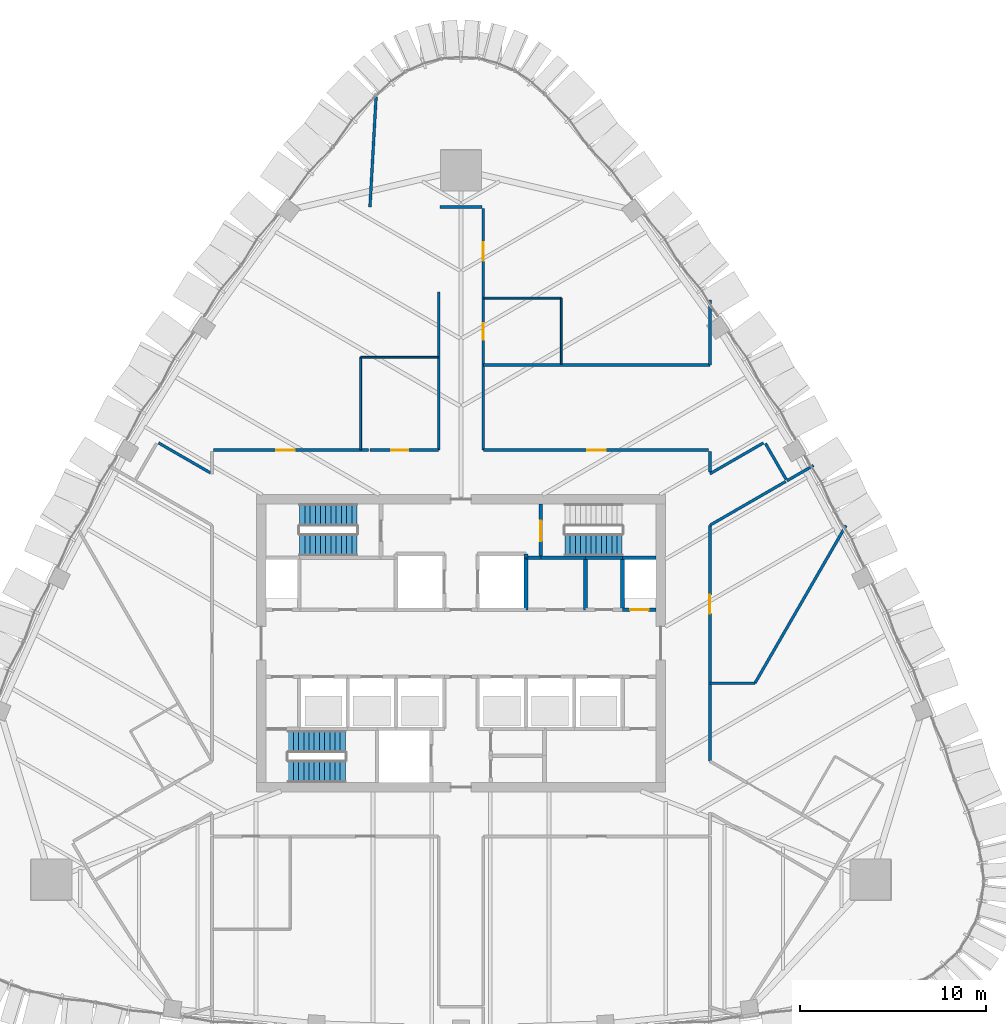
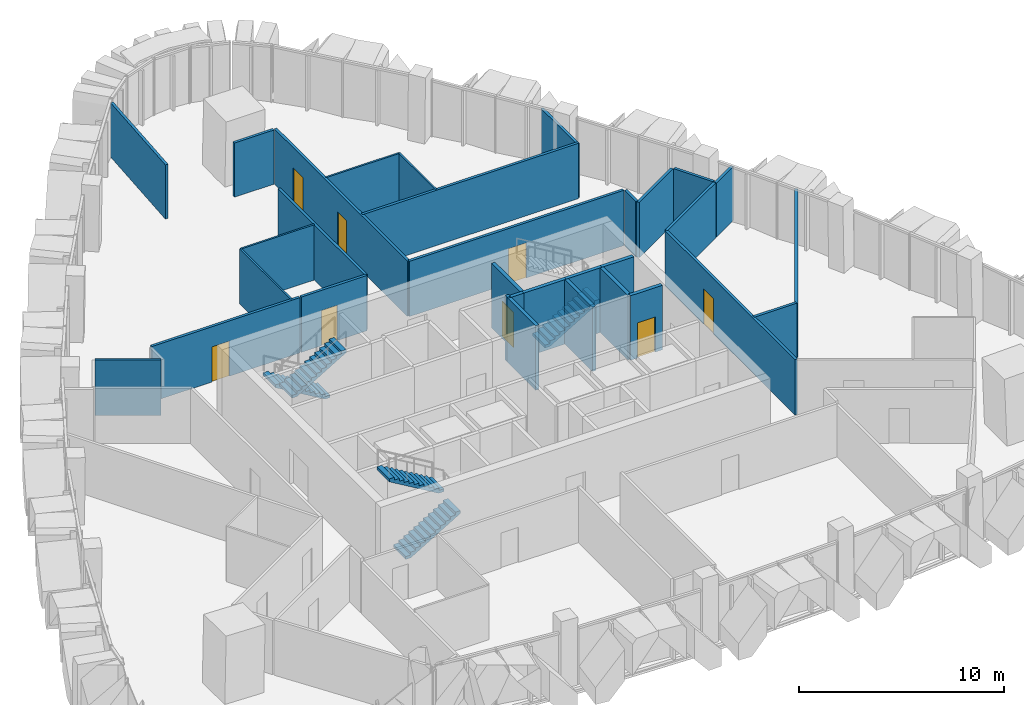
# One storey, part 15 of 20: 32 walls, 8 doors, 5 stair flights, 8 openings, 3 elements without a shape of their own.
"""IFC4 building model written with IfcOpenShell, lengths in metres."""

from ifc_helpers import new_model, si_unit, direction, frame, frame_2d, origin, place, context, subcontext, project, spatial, polyline, rectangle, outline, extrude, material, layer, layer_set, type_object, element, fill, aggregate, save


model = new_model("IFC4")

# Units and contexts
model_context = context("Model", 3, precision=1e-05, world=origin(), true_north=direction((0.0, 1.0)))
body_context = subcontext(model_context, "Body", "Model", "MODEL_VIEW")
ifc_project = project(units=[si_unit("LENGTHUNIT", "METRE"), si_unit("AREAUNIT", "SQUARE_METRE"), si_unit("VOLUMEUNIT", "CUBIC_METRE"), si_unit("PLANEANGLEUNIT", "RADIAN"), si_unit("MASSUNIT", "GRAM", prefix="KILO")], contexts=[model_context])

# Site, building, storey
site_placement = place(None, origin())
site = spatial("IfcSite", under=ifc_project, at=site_placement, CompositionType="ELEMENT")
building_placement = place(site_placement, origin())
building = spatial("IfcBuilding", under=site, at=building_placement, Name="Sierra Prisma Convention Tower", CompositionType="ELEMENT")
storey_placement = place(building_placement, frame((0.0, 0.0, 239.0)))
storey = spatial("IfcBuildingStorey", under=building, at=storey_placement, Name="L53", CompositionType="ELEMENT", Elevation=239.0)

# Walls
ifc_material_1 = material(Name="Gypsum board partition", Category="gypsum")
ifc_layer_1 = layer(ifc_material_1, 0.10009765625)
ifc_layer_set_1 = layer_set([ifc_layer_1], Name="Bathroom partition 100")
wall_type_1 = type_object("IfcWallType", Name="Bathroom partition 100", PredefinedType="PARTITIONING", material=ifc_layer_set_1)
wall_1_placement = place(storey_placement, frame((-5.39990234375, 10.429931640625, 0.0), z_axis=(0.0, 0.0, 1.0), x_axis=(0.0, 1.0, 0.0)))
element("IfcWall", 1, at=wall_1_placement, inside=storey, type_object=wall_type_1, Name="Partition L53 bath 5", PredefinedType="PARTITIONING", context=body_context, shape_type="SweptSolid", body=[
    extrude(rectangle(XDim=4.969970703125, YDim=0.10009765625, at=frame_2d((2.48486328125, 0.0))), origin(), (0.0, 0.0, 1.0), 3.300048828125),
])
for number, where, z_axis, x_axis, name in (
    (2, (-5.39990234375, 15.39990234375, 0.0), (0.0, 0.0, 1.0), (1.0, 0.0, 0.0), "Partition L53 bath 6"),
    (3, (1.22998046875, 18.583251953125, 0.0), (0.0, 0.0, 1.0), (1.0, 0.0, 0.0), "Partition L53 bath 7"),
):
    element("IfcWall", number, at=place(storey_placement, frame(where, z_axis=z_axis, x_axis=x_axis)), inside=storey, type_object=wall_type_1, Name=name, PredefinedType="PARTITIONING", context=body_context, shape_type="SweptSolid", body=[
        extrude(rectangle(XDim=4.169921875, YDim=0.10009765625, at=frame_2d((2.0849609375, 0.0))), origin(), (0.0, 0.0, 1.0), 3.300048828125),
    ])
wall_2_placement = place(storey_placement, frame((5.39990234375, 18.583251953125, 0.0), z_axis=(0.0, 0.0, 1.0), x_axis=(0.0, -1.0, 0.0)))
element("IfcWall", 4, at=wall_2_placement, inside=storey, type_object=wall_type_1, Name="Partition L53 bath 8", PredefinedType="PARTITIONING", context=body_context, shape_type="SweptSolid", body=[
    extrude(rectangle(XDim=3.570068359375, YDim=0.10009765625, at=frame_2d((1.78515625, 0.0))), origin(), (0.0, 0.0, 1.0), 3.300048828125),
])
ifc_material_2 = material(Name="Concrete C30/37", Category="concrete")
ifc_layer_2 = layer(ifc_material_2, 0.199951171875)
ifc_layer_set_2 = layer_set([ifc_layer_2], Name="Core wall RC 200 C30/37")
wall_type_2 = type_object("IfcWallType", Name="Core wall RC 200 C30/37", PredefinedType="SOLIDWALL", material=ifc_layer_set_2)
wall_3_placement = place(storey_placement, frame((3.5, 4.60009765625, 0.0), z_axis=(0.0, 0.0, 1.0), x_axis=(0.0, 1.0, 0.0)))
element("IfcWall", 5, at=wall_3_placement, inside=storey, type_object=wall_type_2, Name="Core wall L53 35", PredefinedType="SOLIDWALL", context=body_context, shape_type="SweptSolid", body=[
    extrude(rectangle(XDim=0.199951171875, YDim=0.199951171875, at=frame_2d((0.10009765625, 0.0))), origin(), (0.0, 0.0, 1.0), 3.85009765625),
])
wall_4_placement = place(storey_placement, frame((3.5, 4.60009765625, 0.0), z_axis=(0.0, 0.0, 1.0), x_axis=(0.0, -1.0, 0.0)))
element("IfcWall", 6, at=wall_4_placement, inside=storey, type_object=wall_type_2, Name="Core wall L53 46", PredefinedType="SOLIDWALL", context=body_context, shape_type="SweptSolid", body=[
    extrude(rectangle(XDim=2.800048828125, YDim=0.199951171875, at=frame_2d((1.39990234375, 0.0))), origin(), (0.0, 0.0, 1.0), 3.85009765625),
])
wall_5_placement = place(storey_placement, frame((4.300048828125, 4.60009765625, 0.0), z_axis=(0.0, 0.0, 1.0), x_axis=(-1.0, 0.0, 0.0)))
element("IfcWall", 7, at=wall_5_placement, inside=storey, type_object=wall_type_2, Name="Core wall L53 47", PredefinedType="SOLIDWALL", context=body_context, shape_type="SweptSolid", body=[
    extrude(rectangle(XDim=0.800048828125, YDim=0.199951171875, at=frame_2d((0.39990234375, 0.0))), origin(), (0.0, 0.0, 1.0), 3.85009765625),
])
wall_6_placement = place(storey_placement, frame((6.699951171875, 4.60009765625, 0.0), z_axis=(0.0, 0.0, 1.0), x_axis=(-1.0, 0.0, 0.0)))
element("IfcWall", 8, at=wall_6_placement, inside=storey, type_object=wall_type_2, Name="Core wall L53 48", PredefinedType="SOLIDWALL", context=body_context, shape_type="SweptSolid", body=[
    extrude(rectangle(XDim=2.39990234375, YDim=0.199951171875, at=frame_2d((1.199951171875, 0.0))), origin(), (0.0, 0.0, 1.0), 3.85009765625),
])

# Wall, opening, door
wall_7_placement = place(storey_placement, frame((4.300048828125, 7.5, 0.0), z_axis=(0.0, 0.0, 1.0), x_axis=(0.0, -1.0, 0.0)))
wall_7 = element("IfcWall", 9, at=wall_7_placement, inside=storey, type_object=wall_type_2, Name="Core wall L53 49", PredefinedType="SOLIDWALL", context=body_context, shape_type="SweptSolid", body=[
    extrude(rectangle(XDim=2.89990234375, YDim=0.199951171875, at=frame_2d((1.449951171875, 0.0))), origin(), (0.0, 0.0, 1.0), 3.85009765625),
])
opening_1_placement = place(wall_7_placement, frame((0.89990234375, 0.0, 0.0)))
opening_1 = element("IfcOpeningElement", 10, at=opening_1_placement, cuts=wall_7, Name="Opening L53-D017", PredefinedType="OPENING", context=body_context, shape_type="SweptSolid", body=[
    extrude(rectangle(XDim=1.10009765625, YDim=2.10009765625, at=frame_2d((0.550048828125, 1.050048828125))), frame((0.0, 0.10009765625, 0.0), z_axis=(0.0, -1.0, 0.0), x_axis=(1.0, 0.0, 0.0)), (0.0, 0.0, 1.0), 0.199951171875),
])
ifc_material_3 = material(Name="Steel fire door leaf", Category="steel")
door_type_1 = type_object("IfcDoorType", Name="Door 1100x2100 FD90S", OperationType="SINGLE_SWING_LEFT", PredefinedType="DOOR", material=ifc_material_3)
door_1_placement = place(opening_1_placement, origin())
door_1 = element("IfcDoor", 11, at=door_1_placement, inside=storey, type_object=door_type_1, Name="Door L53 33", OperationType="SINGLE_SWING_RIGHT", OverallHeight=2.10009765625, OverallWidth=1.10009765625, PredefinedType="DOOR", context=body_context, shape_type="SweptSolid", body=[
    extrude(rectangle(XDim=1.10009765625, YDim=2.10009765625, at=frame_2d((0.550048828125, 1.050048828125))), frame((0.0, 0.02490234375, 0.0), z_axis=(0.0, -1.0, 0.0), x_axis=(1.0, 0.0, 0.0)), (0.0, 0.0, 1.0), 0.050048828125),
])
fill(opening_1, door_1)

# Walls
wall_8_placement = place(storey_placement, frame((6.699951171875, 1.800048828125, 0.0), z_axis=(0.0, 0.0, 1.0), x_axis=(0.0, 1.0, 0.0)))
element("IfcWall", 12, at=wall_8_placement, inside=storey, type_object=wall_type_2, Name="Core wall L53 57", PredefinedType="SOLIDWALL", context=body_context, shape_type="SweptSolid", body=[
    extrude(rectangle(XDim=2.800048828125, YDim=0.199951171875, at=frame_2d((1.39990234375, 0.0))), origin(), (0.0, 0.0, 1.0), 3.85009765625),
])
wall_9_placement = place(storey_placement, frame((8.699951171875, 4.60009765625, 0.0), z_axis=(0.0, 0.0, 1.0), x_axis=(-1.0, 0.0, 0.0)))
element("IfcWall", 13, at=wall_9_placement, inside=storey, type_object=wall_type_2, Name="Core wall L53 58", PredefinedType="SOLIDWALL", context=body_context, shape_type="SweptSolid", body=[
    extrude(rectangle(XDim=2.0, YDim=0.199951171875, at=frame_2d((1.0, 0.0))), origin(), (0.0, 0.0, 1.0), 3.85009765625),
])

# Wall, opening, door
wall_10_placement = place(storey_placement, frame((10.5, 1.800048828125, 0.0), z_axis=(0.0, 0.0, 1.0), x_axis=(-1.0, 0.0, 0.0)))
wall_10 = element("IfcWall", 14, at=wall_10_placement, inside=storey, type_object=wall_type_2, Name="Core wall L53 62", PredefinedType="SOLIDWALL", context=body_context, shape_type="SweptSolid", body=[
    extrude(rectangle(XDim=1.800048828125, YDim=0.199951171875, at=frame_2d((0.89990234375, 0.0))), origin(), (0.0, 0.0, 1.0), 3.85009765625),
])
opening_2_placement = place(wall_10_placement, frame((0.39990234375, 0.0, 0.0)))
opening_2 = element("IfcOpeningElement", 15, at=opening_2_placement, cuts=wall_10, Name="Opening L53-D014", PredefinedType="OPENING", context=body_context, shape_type="SweptSolid", body=[
    extrude(rectangle(XDim=1.0, YDim=2.10009765625, at=frame_2d((0.5, 1.050048828125))), frame((0.0, 0.10009765625, 0.0), z_axis=(0.0, -1.0, 0.0), x_axis=(1.0, 0.0, 0.0)), (0.0, 0.0, 1.0), 0.199951171875),
])
ifc_material_4 = material(Name="Steel fire door leaf", Category="steel")
door_type_2 = type_object("IfcDoorType", Name="Door 1000x2100 FD60S", OperationType="SINGLE_SWING_LEFT", PredefinedType="DOOR", material=ifc_material_4)
door_2_placement = place(opening_2_placement, origin())
door_2 = element("IfcDoor", 16, at=door_2_placement, inside=storey, type_object=door_type_2, Name="Door L53 30", OperationType="SINGLE_SWING_RIGHT", OverallHeight=2.10009765625, OverallWidth=1.0, PredefinedType="DOOR", context=body_context, shape_type="SweptSolid", body=[
    extrude(rectangle(XDim=1.0, YDim=2.10009765625, at=frame_2d((0.5, 1.050048828125))), frame((0.0, 0.02490234375, 0.0), z_axis=(0.0, -1.0, 0.0), x_axis=(1.0, 0.0, 0.0)), (0.0, 0.0, 1.0), 0.050048828125),
])
fill(opening_2, door_2)

# Walls
wall_11_placement = place(storey_placement, frame((8.699951171875, 1.800048828125, 0.0), z_axis=(0.0, 0.0, 1.0), x_axis=(0.0, 1.0, 0.0)))
element("IfcWall", 17, at=wall_11_placement, inside=storey, type_object=wall_type_2, Name="Core wall L53 63", PredefinedType="SOLIDWALL", context=body_context, shape_type="SweptSolid", body=[
    extrude(rectangle(XDim=2.800048828125, YDim=0.199951171875, at=frame_2d((1.39990234375, 0.0))), origin(), (0.0, 0.0, 1.0), 3.85009765625),
])
wall_12_placement = place(storey_placement, frame((10.5, 4.60009765625, 0.0), z_axis=(0.0, 0.0, 1.0), x_axis=(-1.0, 0.0, 0.0)))
element("IfcWall", 18, at=wall_12_placement, inside=storey, type_object=wall_type_2, Name="Core wall L53 64", PredefinedType="SOLIDWALL", context=body_context, shape_type="SweptSolid", body=[
    extrude(rectangle(XDim=1.800048828125, YDim=0.199951171875, at=frame_2d((0.89990234375, 0.0))), origin(), (0.0, 0.0, 1.0), 3.85009765625),
])
ifc_material_5 = material(Name="Gypsum board partition", Category="gypsum")
ifc_layer_3 = layer(ifc_material_5, 0.14990234375)
ifc_layer_set_3 = layer_set([ifc_layer_3], Name="Corridor wall 150 gypsum EI 60")
wall_type_3 = type_object("IfcWallType", Name="Corridor wall 150 gypsum EI 60", PredefinedType="PARTITIONING", material=ifc_layer_set_3)
wall_13_placement = place(storey_placement, frame((-13.479248046875, 9.16796875, 0.0), z_axis=(0.0, 0.0, 1.0), x_axis=(-0.866037246281, 0.499979487633, 0.0)))
element("IfcWall", 19, at=wall_13_placement, inside=storey, type_object=wall_type_3, Name="Partition L53 corr 9", PredefinedType="PARTITIONING", context=body_context, shape_type="SweptSolid", body=[
    extrude(rectangle(XDim=3.234130859375, YDim=0.14990234375, at=frame_2d((1.6171875, 0.0))), origin(), (0.0, 0.0, 1.0), 3.300048828125),
])

# Wall, opening, door
wall_14_placement = place(storey_placement, frame((-4.97998046875, 10.39990234375, 0.0), z_axis=(0.0, 0.0, 1.0), x_axis=(-1.0, 0.0, 0.0)))
wall_14 = element("IfcWall", 20, at=wall_14_placement, inside=storey, type_object=wall_type_3, Name="Partition L53 corr 12", PredefinedType="PARTITIONING", context=body_context, shape_type="SweptSolid", body=[
    extrude(rectangle(XDim=8.340087890625, YDim=0.14990234375, at=frame_2d((4.169921875, 0.0))), origin(), (0.0, 0.0, 1.0), 3.300048828125),
])
opening_3_placement = place(wall_14_placement, frame((3.969970703125, 0.0, 0.0)))
opening_3 = element("IfcOpeningElement", 21, at=opening_3_placement, cuts=wall_14, Name="Opening L53-D030", PredefinedType="OPENING", context=body_context, shape_type="SweptSolid", body=[
    extrude(rectangle(XDim=1.0, YDim=2.10009765625, at=frame_2d((0.5, 1.050048828125))), frame((0.0, 0.074951171875, 0.0), z_axis=(0.0, -1.0, 0.0), x_axis=(1.0, 0.0, 0.0)), (0.0, 0.0, 1.0), 0.14990234375),
])
ifc_material_6 = material(Name="Steel fire door leaf", Category="steel")
door_type_3 = type_object("IfcDoorType", Name="Door 1000x2100 FD30S", OperationType="SINGLE_SWING_LEFT", PredefinedType="DOOR", material=ifc_material_6)
door_3_placement = place(opening_3_placement, origin())
door_3 = element("IfcDoor", 22, at=door_3_placement, inside=storey, type_object=door_type_3, Name="Door L53 6", OperationType="SINGLE_SWING_LEFT", OverallHeight=2.10009765625, OverallWidth=1.0, PredefinedType="DOOR", context=body_context, shape_type="SweptSolid", body=[
    extrude(rectangle(XDim=1.0, YDim=2.10009765625, at=frame_2d((0.5, 1.050048828125))), frame((0.0, 0.02490234375, 0.0), z_axis=(0.0, -1.0, 0.0), x_axis=(1.0, 0.0, 0.0)), (0.0, 0.0, 1.0), 0.050048828125),
])
fill(opening_3, door_3)

# Wall
wall_15_placement = place(storey_placement, frame((-1.199951171875, 18.89990234375, 0.0), z_axis=(0.0, 0.0, 1.0), x_axis=(0.0, -1.0, 0.0)))
element("IfcWall", 23, at=wall_15_placement, inside=storey, type_object=wall_type_3, Name="Partition L53 corr 13", PredefinedType="PARTITIONING", context=body_context, shape_type="SweptSolid", body=[
    extrude(rectangle(XDim=8.5, YDim=0.14990234375, at=frame_2d((4.25, 0.0))), origin(), (0.0, 0.0, 1.0), 3.300048828125),
])

# Wall, opening, door
wall_16_placement = place(storey_placement, frame((-1.199951171875, 10.39990234375, 0.0), z_axis=(0.0, 0.0, 1.0), x_axis=(-1.0, 0.0, 0.0)))
wall_16 = element("IfcWall", 24, at=wall_16_placement, inside=storey, type_object=wall_type_3, Name="Partition L53 corr 14", PredefinedType="PARTITIONING", context=body_context, shape_type="SweptSolid", body=[
    extrude(rectangle(XDim=3.699951171875, YDim=0.14990234375, at=frame_2d((1.85009765625, 0.0))), origin(), (0.0, 0.0, 1.0), 3.300048828125),
])
opening_4_placement = place(wall_16_placement, frame((1.64990234375, 0.0, 0.0)))
opening_4 = element("IfcOpeningElement", 25, at=opening_4_placement, cuts=wall_16, Name="Opening L53-D029", PredefinedType="OPENING", context=body_context, shape_type="SweptSolid", body=[
    extrude(rectangle(XDim=0.89990234375, YDim=2.10009765625, at=frame_2d((0.449951171875, 1.050048828125))), frame((0.0, 0.074951171875, 0.0), z_axis=(0.0, -1.0, 0.0), x_axis=(1.0, 0.0, 0.0)), (0.0, 0.0, 1.0), 0.14990234375),
])
ifc_material_7 = material(Name="Steel fire door leaf", Category="steel")
door_type_4 = type_object("IfcDoorType", Name="Door 900x2100 FD30S", OperationType="SINGLE_SWING_LEFT", PredefinedType="DOOR", material=ifc_material_7)
door_4_placement = place(opening_4_placement, origin())
door_4 = element("IfcDoor", 26, at=door_4_placement, inside=storey, type_object=door_type_4, Name="Door L53 5", OperationType="SINGLE_SWING_RIGHT", OverallHeight=2.10009765625, OverallWidth=0.89990234375, PredefinedType="DOOR", context=body_context, shape_type="SweptSolid", body=[
    extrude(rectangle(XDim=0.89990234375, YDim=2.10009765625, at=frame_2d((0.449951171875, 1.050048828125))), frame((0.0, 0.02490234375, 0.0), z_axis=(0.0, -1.0, 0.0), x_axis=(1.0, 0.0, 0.0)), (0.0, 0.0, 1.0), 0.050048828125),
])
fill(opening_4, door_4)

# Wall
wall_17_placement = place(storey_placement, frame((1.1201171875, 23.4833984375, 0.0), z_axis=(0.0, 0.0, 1.0), x_axis=(-1.0, 0.0, 0.0)))
element("IfcWall", 27, at=wall_17_placement, inside=storey, type_object=wall_type_3, Name="Partition L53 corr 16", PredefinedType="PARTITIONING", context=body_context, shape_type="SweptSolid", body=[
    extrude(rectangle(XDim=2.240234375, YDim=0.14990234375, at=frame_2d((1.1201171875, 0.0))), origin(), (0.0, 0.0, 1.0), 3.23291015625),
])

# Wall, opening, door
wall_18_placement = place(storey_placement, frame((13.320068359375, 10.39990234375, 0.0), z_axis=(0.0, 0.0, 1.0), x_axis=(-1.0, 0.0, 0.0)))
wall_18 = element("IfcWall", 28, at=wall_18_placement, inside=storey, type_object=wall_type_3, Name="Partition L53 corr 19", PredefinedType="PARTITIONING", context=body_context, shape_type="SweptSolid", body=[
    extrude(rectangle(XDim=12.1201171875, YDim=0.14990234375, at=frame_2d((6.06005859375, 0.0))), origin(), (0.0, 0.0, 1.0), 3.300048828125),
])
opening_5_placement = place(wall_18_placement, frame((5.52001953125, 0.0, 0.0)))
opening_5 = element("IfcOpeningElement", 29, at=opening_5_placement, cuts=wall_18, Name="Opening L53-D026", PredefinedType="OPENING", context=body_context, shape_type="SweptSolid", body=[
    extrude(rectangle(XDim=1.0, YDim=2.10009765625, at=frame_2d((0.5, 1.050048828125))), frame((0.0, 0.074951171875, 0.0), z_axis=(0.0, -1.0, 0.0), x_axis=(1.0, 0.0, 0.0)), (0.0, 0.0, 1.0), 0.14990234375),
])
door_5_placement = place(opening_5_placement, origin())
door_5 = element("IfcDoor", 30, at=door_5_placement, inside=storey, type_object=door_type_3, Name="Door L53 2", OperationType="SINGLE_SWING_LEFT", OverallHeight=2.10009765625, OverallWidth=1.0, PredefinedType="DOOR", context=body_context, shape_type="SweptSolid", body=[
    extrude(rectangle(XDim=1.0, YDim=2.10009765625, at=frame_2d((0.5, 1.050048828125))), frame((0.0, 0.02490234375, 0.0), z_axis=(0.0, -1.0, 0.0), x_axis=(1.0, 0.0, 0.0)), (0.0, 0.0, 1.0), 0.050048828125),
])
fill(opening_5, door_5)

# Wall, openings, doors
wall_19_placement = place(storey_placement, frame((1.199951171875, 10.39990234375, 0.0), z_axis=(0.0, 0.0, 1.0), x_axis=(0.0, 1.0, 0.0)))
wall_19 = element("IfcWall", 31, at=wall_19_placement, inside=storey, type_object=wall_type_3, Name="Partition L53 corr 20", PredefinedType="PARTITIONING", context=body_context, shape_type="SweptSolid", body=[
    extrude(rectangle(XDim=13.00341796875, YDim=0.14990234375, at=frame_2d((6.501708984375, 0.0))), origin(), (0.0, 0.0, 1.0), 3.300048828125),
])
opening_6_placement = place(wall_19_placement, frame((5.933349609375, 0.0, 0.0)))
opening_6 = element("IfcOpeningElement", 32, at=opening_6_placement, cuts=wall_19, Name="Opening L53-D027", PredefinedType="OPENING", context=body_context, shape_type="SweptSolid", body=[
    extrude(rectangle(XDim=0.89990234375, YDim=2.10009765625, at=frame_2d((0.449951171875, 1.050048828125))), frame((0.0, 0.074951171875, 0.0), z_axis=(0.0, -1.0, 0.0), x_axis=(1.0, 0.0, 0.0)), (0.0, 0.0, 1.0), 0.14990234375),
])
opening_7_placement = place(wall_19_placement, frame((10.183349609375, 0.0, 0.0)))
opening_7 = element("IfcOpeningElement", 33, at=opening_7_placement, cuts=wall_19, Name="Opening L53-D028", PredefinedType="OPENING", context=body_context, shape_type="SweptSolid", body=[
    extrude(rectangle(XDim=1.0, YDim=2.10009765625, at=frame_2d((0.5, 1.050048828125))), frame((0.0, 0.074951171875, 0.0), z_axis=(0.0, -1.0, 0.0), x_axis=(1.0, 0.0, 0.0)), (0.0, 0.0, 1.0), 0.14990234375),
])
door_6_placement = place(opening_7_placement, origin())
door_6 = element("IfcDoor", 34, at=door_6_placement, inside=storey, type_object=door_type_3, Name="Door L53 4", OperationType="SINGLE_SWING_LEFT", OverallHeight=2.10009765625, OverallWidth=1.0, PredefinedType="DOOR", context=body_context, shape_type="SweptSolid", body=[
    extrude(rectangle(XDim=1.0, YDim=2.10009765625, at=frame_2d((0.5, 1.050048828125))), frame((0.0, 0.02490234375, 0.0), z_axis=(0.0, -1.0, 0.0), x_axis=(1.0, 0.0, 0.0)), (0.0, 0.0, 1.0), 0.050048828125),
])
fill(opening_7, door_6)
door_7_placement = place(opening_6_placement, origin())
door_7 = element("IfcDoor", 35, at=door_7_placement, inside=storey, type_object=door_type_4, Name="Door L53 3", OperationType="SINGLE_SWING_RIGHT", OverallHeight=2.10009765625, OverallWidth=0.89990234375, PredefinedType="DOOR", context=body_context, shape_type="SweptSolid", body=[
    extrude(rectangle(XDim=0.89990234375, YDim=2.10009765625, at=frame_2d((0.449951171875, 1.050048828125))), frame((0.0, 0.02490234375, 0.0), z_axis=(0.0, -1.0, 0.0), x_axis=(1.0, 0.0, 0.0)), (0.0, 0.0, 1.0), 0.050048828125),
])
fill(opening_6, door_7)

# Walls
wall_20_placement = place(storey_placement, frame((16.280029296875, 10.784912109375, 0.0), z_axis=(0.0, 0.0, 1.0), x_axis=(-0.866025439566, -0.499999938025, 0.0)))
element("IfcWall", 36, at=wall_20_placement, inside=storey, type_object=wall_type_3, Name="Partition L53 corr 23", PredefinedType="PARTITIONING", context=body_context, shape_type="SweptSolid", body=[
    extrude(rectangle(XDim=3.32568359375, YDim=0.14990234375, at=frame_2d((1.662841796875, 0.0))), origin(), (0.0, 0.0, 1.0), 3.300048828125),
])
wall_21_placement = place(storey_placement, frame((13.39990234375, 9.213623046875, 0.0), z_axis=(0.0, 0.0, 1.0), x_axis=(0.0, 1.0, 0.0)))
element("IfcWall", 37, at=wall_21_placement, inside=storey, type_object=wall_type_3, Name="Partition L53 corr 24", PredefinedType="PARTITIONING", context=body_context, shape_type="SweptSolid", body=[
    extrude(rectangle(XDim=1.1064453125, YDim=0.14990234375, at=frame_2d((0.55322265625, 0.0))), origin(), (0.0, 0.0, 1.0), 3.300048828125),
])
wall_22_placement = place(storey_placement, frame((17.509521484375, 8.81591796875, 0.0), z_axis=(0.0, 0.0, 1.0), x_axis=(-0.500077830873, 0.865980463445, 0.0)))
element("IfcWall", 38, at=wall_22_placement, inside=storey, type_object=wall_type_3, Name="Partition L53 corr 25", PredefinedType="PARTITIONING", context=body_context, shape_type="SweptSolid", body=[
    extrude(rectangle(XDim=2.239990234375, YDim=0.14990234375, at=frame_2d((1.1201171875, 0.0))), origin(), (0.0, 0.0, 1.0), 3.300048828125),
])

# Wall, opening, door
wall_23_placement = place(storey_placement, frame((13.39990234375, -6.350830078125, 0.0), z_axis=(0.0, 0.0, 1.0), x_axis=(0.0, 1.0, 0.0)))
wall_23 = element("IfcWall", 39, at=wall_23_placement, inside=storey, type_object=wall_type_3, Name="Partition L53 corr 27", PredefinedType="PARTITIONING", context=body_context, shape_type="SweptSolid", body=[
    extrude(rectangle(XDim=12.70166015625, YDim=0.14990234375, at=frame_2d((6.350830078125, 0.0))), origin(), (0.0, 0.0, 1.0), 3.300048828125),
])
opening_8_placement = place(wall_23_placement, frame((7.951904296875, 0.0, 0.0)))
opening_8 = element("IfcOpeningElement", 40, at=opening_8_placement, cuts=wall_23, Name="Opening L53-D025", PredefinedType="OPENING", context=body_context, shape_type="SweptSolid", body=[
    extrude(rectangle(XDim=1.0, YDim=2.10009765625, at=frame_2d((0.5, 1.050048828125))), frame((0.0, 0.074951171875, 0.0), z_axis=(0.0, -1.0, 0.0), x_axis=(1.0, 0.0, 0.0)), (0.0, 0.0, 1.0), 0.14990234375),
])
door_8_placement = place(opening_8_placement, origin())
door_8 = element("IfcDoor", 41, at=door_8_placement, inside=storey, type_object=door_type_3, Name="Door L53 1", OperationType="SINGLE_SWING_RIGHT", OverallHeight=2.10009765625, OverallWidth=1.0, PredefinedType="DOOR", context=body_context, shape_type="SweptSolid", body=[
    extrude(rectangle(XDim=1.0, YDim=2.10009765625, at=frame_2d((0.5, 1.050048828125))), frame((0.0, 0.02490234375, 0.0), z_axis=(0.0, -1.0, 0.0), x_axis=(1.0, 0.0, 0.0)), (0.0, 0.0, 1.0), 0.050048828125),
])
fill(opening_8, door_8)

# Walls
wall_24_placement = place(storey_placement, frame((13.39990234375, 6.350830078125, 0.0), z_axis=(0.0, 0.0, 1.0), x_axis=(0.866018171646, 0.500012526222, 0.0)))
element("IfcWall", 42, at=wall_24_placement, inside=storey, type_object=wall_type_3, Name="Partition L53 corr 28", PredefinedType="PARTITIONING", context=body_context, shape_type="SweptSolid", body=[
    extrude(rectangle(XDim=4.71142578125, YDim=0.14990234375, at=frame_2d((2.355712890625, 0.0))), origin(), (0.0, 0.0, 1.0), 3.300048828125),
])
ifc_material_8 = material(Name="Gypsum board partition", Category="gypsum")
ifc_layer_4 = layer(ifc_material_8, 0.14990234375)
ifc_layer_set_4 = layer_set([ifc_layer_4], Name="Party wall 150 gypsum")
wall_type_4 = type_object("IfcWallType", Name="Party wall 150 gypsum", PredefinedType="PARTITIONING", material=ifc_layer_set_4)
wall_25_placement = place(storey_placement, frame((-4.89990234375, 23.4833984375, 0.0), z_axis=(0.0, 0.0, 1.0), x_axis=(0.055631704764, 0.998451357566, 0.0)))
element("IfcWall", 43, at=wall_25_placement, inside=storey, type_object=wall_type_4, Name="Partition L53 party 7", PredefinedType="PARTITIONING", context=body_context, shape_type="SweptSolid", body=[
    extrude(rectangle(XDim=5.937744140625, YDim=0.14990234375, at=frame_2d((2.96875, 0.0))), origin(), (0.0, 0.0, 1.0), 3.23388671875),
])
wall_26_placement = place(storey_placement, frame((1.199951171875, 14.9833984375, 0.0), z_axis=(0.0, 0.0, 1.0), x_axis=(1.0, 0.0, 0.0)))
element("IfcWall", 44, at=wall_26_placement, inside=storey, type_object=wall_type_4, Name="Partition L53 party 9", PredefinedType="PARTITIONING", context=body_context, shape_type="SweptSolid", body=[
    extrude(rectangle(XDim=12.199951171875, YDim=0.14990234375, at=frame_2d((6.10009765625, 0.0))), origin(), (0.0, 0.0, 1.0), 3.300048828125),
])
wall_27_placement = place(storey_placement, frame((13.39990234375, 14.9833984375, 0.0), z_axis=(0.0, 0.0, 1.0), x_axis=(0.0, 1.0, 0.0)))
element("IfcWall", 45, at=wall_27_placement, inside=storey, type_object=wall_type_4, Name="Partition L53 party 10", PredefinedType="PARTITIONING", context=body_context, shape_type="SweptSolid", body=[
    extrude(rectangle(XDim=3.507080078125, YDim=0.14990234375, at=frame_2d((1.75341796875, 0.0))), origin(), (0.0, 0.0, 1.0), 3.23388671875),
])
wall_28_placement = place(storey_placement, frame((13.39990234375, -2.149169921875, 0.0), z_axis=(0.0, 0.0, 1.0), x_axis=(1.0, 0.0, 0.0)))
element("IfcWall", 46, at=wall_28_placement, inside=storey, type_object=wall_type_4, Name="Partition L53 party 13", PredefinedType="PARTITIONING", context=body_context, shape_type="SweptSolid", body=[
    extrude(rectangle(XDim=2.426025390625, YDim=0.14990234375, at=frame_2d((1.212890625, 0.0))), origin(), (0.0, 0.0, 1.0), 3.300048828125),
])
wall_29_placement = place(storey_placement, frame((15.825927734375, -2.149169921875, 0.0), z_axis=(0.0, 0.0, 1.0), x_axis=(0.499994700786, 0.866028463266, 0.0)))
element("IfcWall", 47, at=wall_29_placement, inside=storey, type_object=wall_type_4, Name="Partition L53 party 14", PredefinedType="PARTITIONING", context=body_context, shape_type="SweptSolid", body=[
    extrude(rectangle(XDim=9.806640625, YDim=0.14990234375, at=frame_2d((4.9033203125, 0.0))), origin(), (0.0, 0.0, 1.0), 3.23388671875),
])
wall_30_placement = place(storey_placement, frame((18.97802734375, 9.5712890625, 0.0), z_axis=(0.0, 0.0, 1.0), x_axis=(-0.866067297121, -0.499927431592, 0.0)))
element("IfcWall", 48, at=wall_30_placement, inside=storey, type_object=wall_type_4, Name="Partition L53 party 17", PredefinedType="PARTITIONING", context=body_context, shape_type="SweptSolid", body=[
    extrude(rectangle(XDim=1.649658203125, YDim=0.14990234375, at=frame_2d((0.82470703125, 0.0))), origin(), (0.0, 0.0, 1.0), 3.23388671875),
])

# Stair, stair flights
ifc_material_9 = material(Name="Concrete C30/37", Category="concrete")
stair_type = type_object("IfcStairType", Name="Stair dog-leg 1200 RC", PredefinedType="HALF_TURN_STAIR", material=ifc_material_9)
stair_1_placement = place(storey_placement, origin())
stair_1 = element("IfcStair", 49, at=stair_1_placement, inside=storey, type_object=stair_type, Name="L53 S1", PredefinedType="HALF_TURN_STAIR")
ifc_material_10 = material(Name="Concrete C30/37", Category="concrete")
stair_flight_type = type_object("IfcStairFlightType", Name="Stair flight RC 1200", PredefinedType="STRAIGHT", material=ifc_material_10)
stair_flight_1_placement = place(storey_placement, frame((-9.300048828125, -6.89990234375, 0.0), z_axis=(0.0, 0.0, 1.0), x_axis=(1.0, 0.0, 0.0)))
stair_flight_1 = element("IfcStairFlight", 50, at=stair_flight_1_placement, type_object=stair_flight_type, Name="S1 flight 1", NumberOfRisers=12, NumberOfTreads=11, PredefinedType="STRAIGHT", RiserHeight=0.166666667, TreadLength=0.28, context=body_context, shape_type="SweptSolid", body=[
    extrude(outline(polyline([(0.0, 0.0), (0.0, 0.166748046875), (0.280029296875, 0.166748046875), (0.280029296875, 0.333251953125), (0.56005859375, 0.333251953125), (0.56005859375, 0.5), (0.840087890625, 0.5), (0.840087890625, 0.666748046875), (1.1201171875, 0.666748046875), (1.1201171875, 0.833251953125), (1.39990234375, 0.833251953125), (1.39990234375, 1.0), (1.679931640625, 1.0), (1.679931640625, 1.166748046875), (1.9599609375, 1.166748046875), (1.9599609375, 1.333251953125), (2.239990234375, 1.333251953125), (2.239990234375, 1.5), (2.52001953125, 1.5), (2.52001953125, 1.666748046875), (2.800048828125, 1.666748046875), (2.800048828125, 1.833251953125), (3.080078125, 1.833251953125), (3.080078125, 2.0), (3.080078125, 1.658935546875), (0.29296875, 0.0), (0.0, 0.0)])), frame((0.0, 0.60009765625, 0.0), z_axis=(0.0, -1.0, 0.0), x_axis=(1.0, 0.0, 0.0)), (0.0, 0.0, 1.0), 1.199951171875),
])
stair_flight_2_placement = place(storey_placement, frame((-6.219970703125, -5.300048828125, 2.0), z_axis=(0.0, 0.0, 1.0), x_axis=(-1.0, 0.0, 0.0)))
stair_flight_2 = element("IfcStairFlight", 51, at=stair_flight_2_placement, type_object=stair_flight_type, Name="S1 flight 2", NumberOfRisers=12, NumberOfTreads=11, PredefinedType="STRAIGHT", RiserHeight=0.166666667, TreadLength=0.28, context=body_context, shape_type="SweptSolid", body=[
    extrude(outline(polyline([(0.0, 0.0), (0.0, 0.166748046875), (0.280029296875, 0.166748046875), (0.280029296875, 0.333251953125), (0.56005859375, 0.333251953125), (0.56005859375, 0.5), (0.840087890625, 0.5), (0.840087890625, 0.666748046875), (1.1201171875, 0.666748046875), (1.1201171875, 0.833251953125), (1.39990234375, 0.833251953125), (1.39990234375, 1.0), (1.679931640625, 1.0), (1.679931640625, 1.166748046875), (1.9599609375, 1.166748046875), (1.9599609375, 1.333251953125), (2.239990234375, 1.333251953125), (2.239990234375, 1.5), (2.52001953125, 1.5), (2.52001953125, 1.666748046875), (2.800048828125, 1.666748046875), (2.800048828125, 1.833251953125), (3.080078125, 1.833251953125), (3.080078125, 2.0), (3.080078125, 1.658935546875), (0.29296875, 0.0), (0.0, 0.0)])), frame((0.0, 0.60009765625, 0.0), z_axis=(0.0, -1.0, 0.0), x_axis=(1.0, 0.0, 0.0)), (0.0, 0.0, 1.0), 1.199951171875),
])
aggregate(stair_1, [stair_flight_1, stair_flight_2])

stair_2_placement = place(storey_placement, origin())
stair_2 = element("IfcStair", 52, at=stair_2_placement, inside=storey, type_object=stair_type, Name="L53 S3", PredefinedType="HALF_TURN_STAIR")
stair_flight_3_placement = place(storey_placement, frame((-5.60009765625, 6.89990234375, 0.0), z_axis=(0.0, 0.0, 1.0), x_axis=(-1.0, 0.0, 0.0)))
stair_flight_3 = element("IfcStairFlight", 53, at=stair_flight_3_placement, type_object=stair_flight_type, Name="S3 flight 1", NumberOfRisers=12, NumberOfTreads=11, PredefinedType="STRAIGHT", RiserHeight=0.166666667, TreadLength=0.28, context=body_context, shape_type="SweptSolid", body=[
    extrude(outline(polyline([(0.0, 0.0), (0.0, 0.166748046875), (0.280029296875, 0.166748046875), (0.280029296875, 0.333251953125), (0.56005859375, 0.333251953125), (0.56005859375, 0.5), (0.840087890625, 0.5), (0.840087890625, 0.666748046875), (1.1201171875, 0.666748046875), (1.1201171875, 0.833251953125), (1.39990234375, 0.833251953125), (1.39990234375, 1.0), (1.679931640625, 1.0), (1.679931640625, 1.166748046875), (1.9599609375, 1.166748046875), (1.9599609375, 1.333251953125), (2.239990234375, 1.333251953125), (2.239990234375, 1.5), (2.52001953125, 1.5), (2.52001953125, 1.666748046875), (2.800048828125, 1.666748046875), (2.800048828125, 1.833251953125), (3.080078125, 1.833251953125), (3.080078125, 2.0), (3.080078125, 1.658935546875), (0.29296875, 0.0), (0.0, 0.0)])), frame((0.0, 0.60009765625, 0.0), z_axis=(0.0, -1.0, 0.0), x_axis=(1.0, 0.0, 0.0)), (0.0, 0.0, 1.0), 1.199951171875),
])
stair_flight_4_placement = place(storey_placement, frame((-8.679931640625, 5.300048828125, 2.0), z_axis=(0.0, 0.0, 1.0), x_axis=(1.0, 0.0, 0.0)))
stair_flight_4 = element("IfcStairFlight", 54, at=stair_flight_4_placement, type_object=stair_flight_type, Name="S3 flight 2", NumberOfRisers=12, NumberOfTreads=11, PredefinedType="STRAIGHT", RiserHeight=0.166666667, TreadLength=0.28, context=body_context, shape_type="SweptSolid", body=[
    extrude(outline(polyline([(0.0, 0.0), (0.0, 0.166748046875), (0.280029296875, 0.166748046875), (0.280029296875, 0.333251953125), (0.56005859375, 0.333251953125), (0.56005859375, 0.5), (0.840087890625, 0.5), (0.840087890625, 0.666748046875), (1.1201171875, 0.666748046875), (1.1201171875, 0.833251953125), (1.39990234375, 0.833251953125), (1.39990234375, 1.0), (1.679931640625, 1.0), (1.679931640625, 1.166748046875), (1.9599609375, 1.166748046875), (1.9599609375, 1.333251953125), (2.239990234375, 1.333251953125), (2.239990234375, 1.5), (2.52001953125, 1.5), (2.52001953125, 1.666748046875), (2.800048828125, 1.666748046875), (2.800048828125, 1.833251953125), (3.080078125, 1.833251953125), (3.080078125, 2.0), (3.080078125, 1.658935546875), (0.29296875, 0.0), (0.0, 0.0)])), frame((0.0, 0.60009765625, 0.0), z_axis=(0.0, -1.0, 0.0), x_axis=(1.0, 0.0, 0.0)), (0.0, 0.0, 1.0), 1.199951171875),
])
aggregate(stair_2, [stair_flight_3, stair_flight_4])

# Stair, stair flight
stair_3_placement = place(storey_placement, origin())
stair_3 = element("IfcStair", 55, at=stair_3_placement, inside=storey, type_object=stair_type, Name="L53 S4", PredefinedType="HALF_TURN_STAIR")
stair_flight_5_placement = place(storey_placement, frame((5.60009765625, 5.300048828125, 0.0), z_axis=(0.0, 0.0, 1.0), x_axis=(1.0, 0.0, 0.0)))
stair_flight_5 = element("IfcStairFlight", 56, at=stair_flight_5_placement, type_object=stair_flight_type, Name="S4 flight 1", NumberOfRisers=12, NumberOfTreads=11, PredefinedType="STRAIGHT", RiserHeight=0.166666667, TreadLength=0.28, context=body_context, shape_type="SweptSolid", body=[
    extrude(outline(polyline([(0.0, 0.0), (0.0, 0.166748046875), (0.280029296875, 0.166748046875), (0.280029296875, 0.333251953125), (0.56005859375, 0.333251953125), (0.56005859375, 0.5), (0.840087890625, 0.5), (0.840087890625, 0.666748046875), (1.1201171875, 0.666748046875), (1.1201171875, 0.833251953125), (1.39990234375, 0.833251953125), (1.39990234375, 1.0), (1.679931640625, 1.0), (1.679931640625, 1.166748046875), (1.9599609375, 1.166748046875), (1.9599609375, 1.333251953125), (2.239990234375, 1.333251953125), (2.239990234375, 1.5), (2.52001953125, 1.5), (2.52001953125, 1.666748046875), (2.800048828125, 1.666748046875), (2.800048828125, 1.833251953125), (3.080078125, 1.833251953125), (3.080078125, 2.0), (3.080078125, 1.658935546875), (0.29296875, 0.0), (0.0, 0.0)])), frame((0.0, 0.60009765625, 0.0), z_axis=(0.0, -1.0, 0.0), x_axis=(1.0, 0.0, 0.0)), (0.0, 0.0, 1.0), 1.199951171875),
])
aggregate(stair_3, [stair_flight_5])

save(model, "model.ifc")
